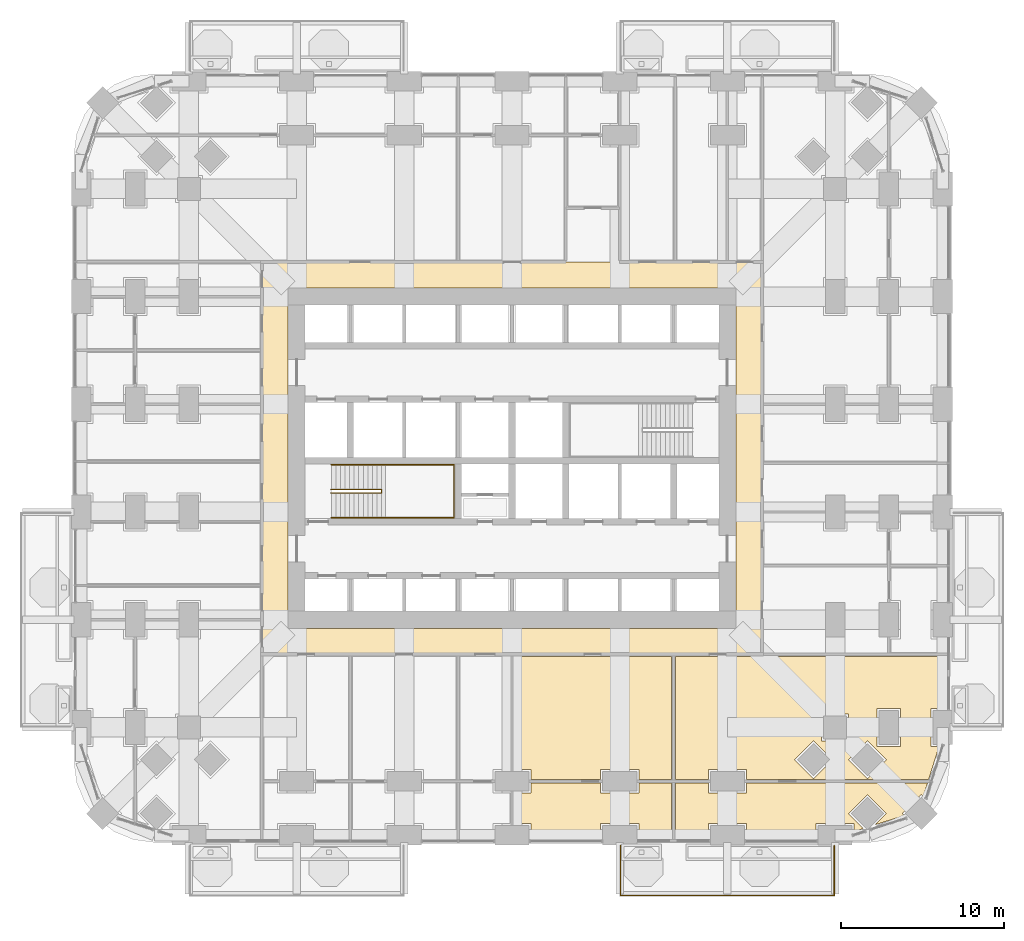
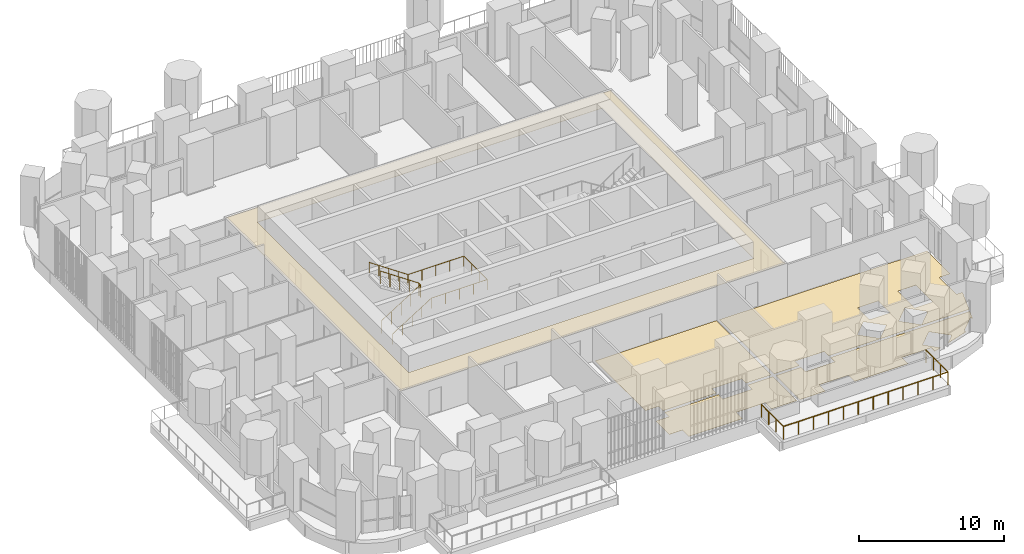
# One storey, part 24 of 27: 5 coverings, 3 railings.
"""IFC4 building model written with IfcOpenShell, lengths in metres."""

import ifcopenshell
import ifcopenshell.guid

model = None  # the IFC model being written
_history = None  # IfcOwnerHistory: only IFC2X3 demands one
_inside = {}  # id of a spatial element -> (the spatial element, [elements in it])
_under = {}  # id of a project, library or spatial element -> (it, [spatial elements below it])
_declared = {}  # id of a project -> (the project, [libraries it declares])
_typed = {}  # id of a type object -> (the type object, [elements of that type])
_made_of = {}  # id of a material, layer set ... -> (it, [elements and type objects made of it])


def new_model(schema):
    """Start an empty IFC model of exactly this schema.

    Asked for "IFC4X3", IfcOpenShell would pick the latest addendum, in which some entities
    have other attributes; the version numbers below select the first issue.
    IFC2X3 requires an IfcOwnerHistory on every rooted entity: one is made here for all.
    """
    global model, _history
    if schema == "IFC4X3":
        model = ifcopenshell.file(schema_version=(4, 3, 0, 0))
    else:
        model = ifcopenshell.file(schema=schema)
    _inside.clear()
    _under.clear()
    _declared.clear()
    _typed.clear()
    _made_of.clear()
    _history = None
    if model.schema == "IFC2X3":
        org = make("IfcOrganization", Name="unknown")
        user = make(
            "IfcPersonAndOrganization",
            ThePerson=make("IfcPerson", FamilyName="unknown"),
            TheOrganization=org,
        )
        app = make(
            "IfcApplication",
            ApplicationDeveloper=org,
            Version="unknown",
            ApplicationFullName="unknown",
            ApplicationIdentifier="unknown",
        )
        _history = make(
            "IfcOwnerHistory",
            OwningUser=user,
            OwningApplication=app,
            ChangeAction="ADDED",
            CreationDate=0,
        )
    return model


def make(cls, **values):
    """One entity of the class cls with the attributes given. An attribute that is None is left unset."""
    return model.create_entity(
        cls, **{name: value for name, value in values.items() if value is not None}
    )


def rooted(cls, **values):
    """An entity with a GlobalId (a new one), such as an element, a storey or a relation."""
    return make(cls, GlobalId=ifcopenshell.guid.new(), OwnerHistory=_history, **values)


def si_unit(unit_type, name, prefix=None):
    """IfcSIUnit, for example si_unit("LENGTHUNIT", "METRE", prefix="MILLI")."""
    return make("IfcSIUnit", UnitType=unit_type, Prefix=prefix, Name=name)


def assignment(units):
    """IfcUnitAssignment: the units of a project."""
    return None if units is None else make("IfcUnitAssignment", Units=units)


def point(xyz):
    """IfcCartesianPoint."""
    return None if xyz is None else make("IfcCartesianPoint", Coordinates=xyz)


def direction(xyz):
    """IfcDirection."""
    return None if xyz is None else make("IfcDirection", DirectionRatios=xyz)


def frame(location, z_axis=None, x_axis=None):
    """IfcAxis2Placement3D, a coordinate frame: its origin and axes. An axis left out is left unset."""
    return make(
        "IfcAxis2Placement3D",
        Location=point(location),
        Axis=direction(z_axis),
        RefDirection=direction(x_axis),
    )


def origin():
    """The frame at (0, 0, 0) with its axes left unset."""
    return frame((0.0, 0.0, 0.0))


def place(relative_to, where):
    """IfcLocalPlacement: puts the frame where relative to a parent placement (None: the world)."""
    return make(
        "IfcLocalPlacement", PlacementRelTo=relative_to, RelativePlacement=where
    )


def context(
    kind, dimensions, precision=None, world=None, true_north=None, identifier=None
):
    """IfcGeometricRepresentationContext, for example the 3D "Model" context."""
    return make(
        "IfcGeometricRepresentationContext",
        ContextIdentifier=identifier,
        ContextType=kind,
        CoordinateSpaceDimension=dimensions,
        Precision=precision,
        WorldCoordinateSystem=world,
        TrueNorth=true_north,
    )


def subcontext(parent, identifier, kind, view, scale=None):
    """IfcGeometricRepresentationSubContext, for example "Body" below "Model"."""
    return make(
        "IfcGeometricRepresentationSubContext",
        ContextIdentifier=identifier,
        ContextType=kind,
        ParentContext=parent,
        TargetScale=scale,
        TargetView=view,
    )


def project(units=None, contexts=None):
    """IfcProject with its units and contexts."""
    return rooted(
        "IfcProject",
        Name="project",
        RepresentationContexts=contexts,
        UnitsInContext=assignment(units),
    )


def spatial(cls, under=None, at=None, **own):
    """A site, building, storey or space (cls), placed at a placement, below another one or the project."""
    s = rooted(cls, ObjectPlacement=at, **own)
    if under is not None:
        _under.setdefault(under.id(), (under, []))[1].append(s)
    return s


def polyline(points):
    """IfcPolyline through the points."""
    return make("IfcPolyline", Points=[point(p) for p in points])


def outline(outer, holes=None, kind="AREA"):
    """IfcArbitraryClosedProfileDef: a profile drawn as a closed curve; with holes, ...WithVoids."""
    if holes is None:
        return make("IfcArbitraryClosedProfileDef", ProfileType=kind, OuterCurve=outer)
    return make(
        "IfcArbitraryProfileDefWithVoids",
        ProfileType=kind,
        OuterCurve=outer,
        InnerCurves=holes,
    )


def extrude(swept, where, along, depth):
    """IfcExtrudedAreaSolid: the profile swept, set in the frame where, extruded along a direction by depth."""
    return make(
        "IfcExtrudedAreaSolid",
        SweptArea=swept,
        Position=where,
        ExtrudedDirection=direction(along),
        Depth=depth,
    )


def shape(context_of_items, identifier, shape_type, items):
    """IfcShapeRepresentation: the items that make up one representation, for example the "Body"."""
    return make(
        "IfcShapeRepresentation",
        ContextOfItems=context_of_items,
        RepresentationIdentifier=identifier,
        RepresentationType=shape_type,
        Items=items,
    )


def material(Name=None, Category=None):
    """IfcMaterial."""
    return make("IfcMaterial", Name=Name, Category=Category)


def layer(
    of_material, thickness, ventilated=None, Name=None, Category=None, Priority=None
):
    """IfcMaterialLayer: one layer of a wall or slab, of a material (None: an air gap)."""
    return make(
        "IfcMaterialLayer",
        Material=of_material,
        LayerThickness=thickness,
        IsVentilated=ventilated,
        Name=Name,
        Category=Category,
        Priority=Priority,
    )


def layer_set(layers, Name=None):
    """IfcMaterialLayerSet."""
    return make("IfcMaterialLayerSet", MaterialLayers=layers, LayerSetName=Name)


def made_of(thing, what):
    """Note that an element or type object is made of a material, layer set ...; save() writes the relation."""
    if what is not None:
        _made_of.setdefault(what.id(), (what, []))[1].append(thing)
    return thing


def type_object(cls, material=None, **own):
    """A type object (cls), such as IfcWallType, which elements share."""
    return made_of(rooted(cls, **own), material)


def element(
    cls,
    number,
    at=None,
    inside=None,
    cuts=None,
    type_object=None,
    material=None,
    context=None,
    identifier="Body",
    shape_type=None,
    held_by="IfcProductDefinitionShape",
    body=None,
    shapes=None,
    **own,
):
    """One element of the class cls, such as IfcWall. Its Tag is "e" and its number.

    at: its placement. inside: the storey or other place that contains it. cuts: it is an
    opening in that element (IfcRelVoidsElement). A single representation is given by context,
    identifier, shape_type and body (its items); several are given by shapes. held_by: the class
    of the entity that holds the representations. save() writes the other relations.
    """
    e = rooted(cls, Tag="e%d" % number, ObjectPlacement=at, **own)
    if body is not None:
        shapes = [shape(context, identifier, shape_type, body)]
    if shapes is not None:
        e.Representation = make(held_by, Representations=shapes)
    if inside is not None:
        _inside.setdefault(inside.id(), (inside, []))[1].append(e)
    if cuts is not None:
        rooted(
            "IfcRelVoidsElement", RelatingBuildingElement=cuts, RelatedOpeningElement=e
        )
    if type_object is not None:
        _typed.setdefault(type_object.id(), (type_object, []))[1].append(e)
    return made_of(e, material)


def aggregate(whole, parts):
    """IfcRelAggregates: a whole, such as a stair, and the parts it consists of."""
    return rooted("IfcRelAggregates", RelatingObject=whole, RelatedObjects=parts)


def save(model, path):
    """Write the relations noted so far, then the file.

    IfcRelAggregates (storeys below a building ...), IfcRelContainedInSpatialStructure (elements
    in a storey), IfcRelDefinesByType, IfcRelAssociatesMaterial and IfcRelDeclares: one each for
    every whole, place, type object, material and project.
    """
    for whole, parts in _under.values():
        aggregate(whole, parts)
    for where, things in _inside.values():
        rooted(
            "IfcRelContainedInSpatialStructure",
            RelatedElements=things,
            RelatingStructure=where,
        )
    for kind, things in _typed.values():
        rooted("IfcRelDefinesByType", RelatedObjects=things, RelatingType=kind)
    for what, things in _made_of.values():
        rooted("IfcRelAssociatesMaterial", RelatedObjects=things, RelatingMaterial=what)
    for by, libraries in _declared.values():
        rooted("IfcRelDeclares", RelatingContext=by, RelatedDefinitions=libraries)
    model.write(path)


model = new_model("IFC4")

# Units and contexts
model_context = context("Model", 3, precision=1e-05, world=origin(), true_north=direction((0.0, 1.0)))
body_context = subcontext(model_context, "Body", "Model", "MODEL_VIEW")
ifc_project = project(units=[si_unit("LENGTHUNIT", "METRE"), si_unit("AREAUNIT", "SQUARE_METRE"), si_unit("VOLUMEUNIT", "CUBIC_METRE"), si_unit("PLANEANGLEUNIT", "RADIAN"), si_unit("MASSUNIT", "GRAM", prefix="KILO")], contexts=[model_context])

# Site, building, storey
site_placement = place(None, origin())
site = spatial("IfcSite", under=ifc_project, at=site_placement, CompositionType="ELEMENT")
building_placement = place(site_placement, origin())
building = spatial("IfcBuilding", under=site, at=building_placement, Name="Cobogo Forest Laboratory Tower", CompositionType="ELEMENT")
storey_placement = place(building_placement, frame((0.0, 0.0, 38.10009765625)))
storey = spatial("IfcBuildingStorey", under=building, at=storey_placement, Name="L08", CompositionType="ELEMENT", Elevation=38.10009765625)

# Railing
ifc_material_1 = material(Name="Laminated glass balustrade", Category="glass")
railing_type_1 = type_object("IfcRailingType", Name="BG1 glass balustrade 1100", PredefinedType="GUARDRAIL", material=ifc_material_1)
railing_1_placement = place(storey_placement, frame((33.050048828125, -0.64990234375, 0.0)))
element("IfcRailing", 1, at=railing_1_placement, inside=storey, type_object=railing_type_1, Name="Balcony balustrade BAL-S2 L08", PredefinedType="GUARDRAIL", context=body_context, shape_type="SweptSolid", body=[
    extrude(outline(polyline([(0.022216796875, 0.00927734375), (0.00927734375, 0.022216796875), (-0.00927734375, 0.022216796875), (-0.022216796875, 0.00927734375), (-0.022216796875, -0.00927734375), (-0.00927734375, -0.022216796875), (0.00927734375, -0.022216796875), (0.022216796875, -0.00927734375), (0.022216796875, 0.00927734375)])), frame((0.0, 0.0, 1.077880859375), z_axis=(0.0, -1.0, 0.0), x_axis=(1.0, 0.0, 0.0)), (0.0, 0.0, 1.0), 3.050048828125),
    extrude(outline(polyline([(0.022216796875, 0.00927734375), (0.00927734375, 0.022216796875), (-0.00927734375, 0.022216796875), (-0.022216796875, 0.00927734375), (-0.022216796875, -0.00927734375), (-0.00927734375, -0.022216796875), (0.00927734375, -0.022216796875), (0.022216796875, -0.00927734375), (0.022216796875, 0.00927734375)])), frame((0.0, -3.050048828125, 1.077880859375), z_axis=(1.0, 0.0, 0.0), x_axis=(0.0, 1.0, 0.0)), (0.0, 0.0, 1.0), 13.099853515625),
    extrude(outline(polyline([(0.022216796875, 0.00927734375), (0.00927734375, 0.022216796875), (-0.00927734375, 0.022216796875), (-0.022216796875, 0.00927734375), (-0.022216796875, -0.00927734375), (-0.00927734375, -0.022216796875), (0.00927734375, -0.022216796875), (0.022216796875, -0.00927734375), (0.022216796875, 0.00927734375)])), frame((13.099853515625, -3.050048828125, 1.077880859375), z_axis=(0.0, 1.0, 0.0), x_axis=(-1.0, 0.0, 0.0)), (0.0, 0.0, 1.0), 3.050048828125),
    extrude(outline(polyline([(0.019287109375, 0.008056640625), (0.008056640625, 0.019287109375), (-0.008056640625, 0.019287109375), (-0.019287109375, 0.008056640625), (-0.019287109375, -0.008056640625), (-0.008056640625, -0.019287109375), (0.008056640625, -0.019287109375), (0.019287109375, -0.008056640625), (0.019287109375, 0.008056640625)])), origin(), (0.0, 0.0, 1.0), 1.077880859375),
    extrude(outline(polyline([(0.019287109375, 0.008056640625), (0.008056640625, 0.019287109375), (-0.008056640625, 0.019287109375), (-0.019287109375, 0.008056640625), (-0.019287109375, -0.008056640625), (-0.008056640625, -0.019287109375), (0.008056640625, -0.019287109375), (0.019287109375, -0.008056640625), (0.019287109375, 0.008056640625)])), frame((0.0, -1.0166015625, 0.0)), (0.0, 0.0, 1.0), 1.077880859375),
    extrude(outline(polyline([(0.019287109375, 0.008056640625), (0.008056640625, 0.019287109375), (-0.008056640625, 0.019287109375), (-0.019287109375, 0.008056640625), (-0.019287109375, -0.008056640625), (-0.008056640625, -0.019287109375), (0.008056640625, -0.019287109375), (0.019287109375, -0.008056640625), (0.019287109375, 0.008056640625)])), frame((0.0, -2.033447265625, 0.0)), (0.0, 0.0, 1.0), 1.077880859375),
    extrude(outline(polyline([(0.019287109375, 0.008056640625), (0.008056640625, 0.019287109375), (-0.008056640625, 0.019287109375), (-0.019287109375, 0.008056640625), (-0.019287109375, -0.008056640625), (-0.008056640625, -0.019287109375), (0.008056640625, -0.019287109375), (0.019287109375, -0.008056640625), (0.019287109375, 0.008056640625)])), frame((0.0, -3.050048828125, 0.0)), (0.0, 0.0, 1.0), 1.077880859375),
    extrude(outline(polyline([(0.019287109375, 0.008056640625), (0.008056640625, 0.019287109375), (-0.008056640625, 0.019287109375), (-0.019287109375, 0.008056640625), (-0.019287109375, -0.008056640625), (-0.008056640625, -0.019287109375), (0.008056640625, -0.019287109375), (0.019287109375, -0.008056640625), (0.019287109375, 0.008056640625)])), frame((1.19091796875, -3.050048828125, 0.0)), (0.0, 0.0, 1.0), 1.077880859375),
    extrude(outline(polyline([(0.019287109375, 0.008056640625), (0.008056640625, 0.019287109375), (-0.008056640625, 0.019287109375), (-0.019287109375, 0.008056640625), (-0.019287109375, -0.008056640625), (-0.008056640625, -0.019287109375), (0.008056640625, -0.019287109375), (0.019287109375, -0.008056640625), (0.019287109375, 0.008056640625)])), frame((2.3818359375, -3.050048828125, 0.0)), (0.0, 0.0, 1.0), 1.077880859375),
    extrude(outline(polyline([(0.019287109375, 0.008056640625), (0.008056640625, 0.019287109375), (-0.008056640625, 0.019287109375), (-0.019287109375, 0.008056640625), (-0.019287109375, -0.008056640625), (-0.008056640625, -0.019287109375), (0.008056640625, -0.019287109375), (0.019287109375, -0.008056640625), (0.019287109375, 0.008056640625)])), frame((3.57275390625, -3.050048828125, 0.0)), (0.0, 0.0, 1.0), 1.077880859375),
    extrude(outline(polyline([(0.019287109375, 0.008056640625), (0.008056640625, 0.019287109375), (-0.008056640625, 0.019287109375), (-0.019287109375, 0.008056640625), (-0.019287109375, -0.008056640625), (-0.008056640625, -0.019287109375), (0.008056640625, -0.019287109375), (0.019287109375, -0.008056640625), (0.019287109375, 0.008056640625)])), frame((4.763671875, -3.050048828125, 0.0)), (0.0, 0.0, 1.0), 1.077880859375),
    extrude(outline(polyline([(0.019287109375, 0.008056640625), (0.008056640625, 0.019287109375), (-0.008056640625, 0.019287109375), (-0.019287109375, 0.008056640625), (-0.019287109375, -0.008056640625), (-0.008056640625, -0.019287109375), (0.008056640625, -0.019287109375), (0.019287109375, -0.008056640625), (0.019287109375, 0.008056640625)])), frame((5.95458984375, -3.050048828125, 0.0)), (0.0, 0.0, 1.0), 1.077880859375),
    extrude(outline(polyline([(0.019287109375, 0.008056640625), (0.008056640625, 0.019287109375), (-0.008056640625, 0.019287109375), (-0.019287109375, 0.008056640625), (-0.019287109375, -0.008056640625), (-0.008056640625, -0.019287109375), (0.008056640625, -0.019287109375), (0.019287109375, -0.008056640625), (0.019287109375, 0.008056640625)])), frame((7.145263671875, -3.050048828125, 0.0)), (0.0, 0.0, 1.0), 1.077880859375),
    extrude(outline(polyline([(0.019287109375, 0.008056640625), (0.008056640625, 0.019287109375), (-0.008056640625, 0.019287109375), (-0.019287109375, 0.008056640625), (-0.019287109375, -0.008056640625), (-0.008056640625, -0.019287109375), (0.008056640625, -0.019287109375), (0.019287109375, -0.008056640625), (0.019287109375, 0.008056640625)])), frame((8.336181640625, -3.050048828125, 0.0)), (0.0, 0.0, 1.0), 1.077880859375),
    extrude(outline(polyline([(0.019287109375, 0.008056640625), (0.008056640625, 0.019287109375), (-0.008056640625, 0.019287109375), (-0.019287109375, 0.008056640625), (-0.019287109375, -0.008056640625), (-0.008056640625, -0.019287109375), (0.008056640625, -0.019287109375), (0.019287109375, -0.008056640625), (0.019287109375, 0.008056640625)])), frame((9.527099609375, -3.050048828125, 0.0)), (0.0, 0.0, 1.0), 1.077880859375),
    extrude(outline(polyline([(0.019287109375, 0.008056640625), (0.008056640625, 0.019287109375), (-0.008056640625, 0.019287109375), (-0.019287109375, 0.008056640625), (-0.019287109375, -0.008056640625), (-0.008056640625, -0.019287109375), (0.008056640625, -0.019287109375), (0.019287109375, -0.008056640625), (0.019287109375, 0.008056640625)])), frame((10.718017578125, -3.050048828125, 0.0)), (0.0, 0.0, 1.0), 1.077880859375),
    extrude(outline(polyline([(0.019287109375, 0.008056640625), (0.008056640625, 0.019287109375), (-0.008056640625, 0.019287109375), (-0.019287109375, 0.008056640625), (-0.019287109375, -0.008056640625), (-0.008056640625, -0.019287109375), (0.008056640625, -0.019287109375), (0.019287109375, -0.008056640625), (0.019287109375, 0.008056640625)])), frame((11.908935546875, -3.050048828125, 0.0)), (0.0, 0.0, 1.0), 1.077880859375),
    extrude(outline(polyline([(0.019287109375, 0.008056640625), (0.008056640625, 0.019287109375), (-0.008056640625, 0.019287109375), (-0.019287109375, 0.008056640625), (-0.019287109375, -0.008056640625), (-0.008056640625, -0.019287109375), (0.008056640625, -0.019287109375), (0.019287109375, -0.008056640625), (0.019287109375, 0.008056640625)])), frame((13.099853515625, -3.050048828125, 0.0)), (0.0, 0.0, 1.0), 1.077880859375),
    extrude(outline(polyline([(0.019287109375, 0.008056640625), (0.008056640625, 0.019287109375), (-0.008056640625, 0.019287109375), (-0.019287109375, 0.008056640625), (-0.019287109375, -0.008056640625), (-0.008056640625, -0.019287109375), (0.008056640625, -0.019287109375), (0.019287109375, -0.008056640625), (0.019287109375, 0.008056640625)])), frame((13.099853515625, -2.033447265625, 0.0)), (0.0, 0.0, 1.0), 1.077880859375),
    extrude(outline(polyline([(0.019287109375, 0.008056640625), (0.008056640625, 0.019287109375), (-0.008056640625, 0.019287109375), (-0.019287109375, 0.008056640625), (-0.019287109375, -0.008056640625), (-0.008056640625, -0.019287109375), (0.008056640625, -0.019287109375), (0.019287109375, -0.008056640625), (0.019287109375, 0.008056640625)])), frame((13.099853515625, -1.0166015625, 0.0)), (0.0, 0.0, 1.0), 1.077880859375),
    extrude(outline(polyline([(0.019287109375, 0.008056640625), (0.008056640625, 0.019287109375), (-0.008056640625, 0.019287109375), (-0.019287109375, 0.008056640625), (-0.019287109375, -0.008056640625), (-0.008056640625, -0.019287109375), (0.008056640625, -0.019287109375), (0.019287109375, -0.008056640625), (0.019287109375, 0.008056640625)])), frame((13.099853515625, 0.0, 0.0)), (0.0, 0.0, 1.0), 1.077880859375),
])

# Coverings
ifc_material_2 = material(Name="Mineral fibre ceiling tile", Category="ceiling")
ifc_layer_1 = layer(ifc_material_2, 0.02001953125)
ifc_layer_set_1 = layer_set([ifc_layer_1], Name="CL1 suspended ceiling")
covering_type_1 = type_object("IfcCoveringType", Name="CL1 suspended ceiling", PredefinedType="CEILING", material=ifc_layer_set_1)
covering_1_placement = place(storey_placement, frame((0.0, 0.0, 2.7998046875)))
element("IfcCovering", 2, at=covering_1_placement, inside=storey, type_object=covering_type_1, Name="Corridor ceiling L08", PredefinedType="CEILING", context=body_context, shape_type="SweptSolid", body=[
    extrude(outline(polyline([(11.074951171875, 11.074951171875), (11.074951171875, 35.125), (41.72509765625, 35.125), (41.72509765625, 11.074951171875), (11.074951171875, 11.074951171875)]), holes=[polyline([(40.125, 33.52490234375), (12.675048828125, 33.52490234375), (12.675048828125, 12.675048828125), (40.125, 12.675048828125), (40.125, 33.52490234375)])]), origin(), (0.0, 0.0, 1.0), 0.02001953125),
])
ifc_material_3 = material(Name="Carpet tile on raised access floor", Category="flooring")
ifc_layer_2 = layer(ifc_material_3, 0.008056640625)
ifc_layer_set_2 = layer_set([ifc_layer_2], Name="CT1 carpet tile floor 8")
covering_type_2 = type_object("IfcCoveringType", Name="CT1 carpet tile floor 8", PredefinedType="FLOORING", material=ifc_layer_set_2)
covering_2_placement = place(storey_placement, origin())
element("IfcCovering", 3, at=covering_2_placement, inside=storey, type_object=covering_type_2, Name="Carpet floor L08-08", PredefinedType="FLOORING", context=body_context, shape_type="SweptSolid", body=[
    extrude(outline(polyline([(31.830078125, 3.179931640625), (31.830078125, 2.580078125), (34.169921875, 2.580078125), (34.169921875, 3.179931640625), (36.179931640625, 3.179931640625), (36.179931640625, -0.14990234375), (34.169921875, -0.14990234375), (34.169921875, 0.719970703125), (31.830078125, 0.719970703125), (31.830078125, -0.14990234375), (27.570068359375, -0.14990234375), (27.570068359375, 0.719970703125), (26.52001953125, 0.719970703125), (26.52001953125, 2.580078125), (27.570068359375, 2.580078125), (27.570068359375, 3.179931640625), (31.830078125, 3.179931640625)])), origin(), (0.0, 0.0, 1.0), 0.0078125),
])
covering_3_placement = place(storey_placement, origin())
element("IfcCovering", 4, at=covering_3_placement, inside=storey, type_object=covering_type_2, Name="Carpet floor L08-10", PredefinedType="FLOORING", context=body_context, shape_type="SweptSolid", body=[
    extrude(outline(polyline([(38.429931640625, 3.179931640625), (38.429931640625, 2.580078125), (40.77001953125, 2.580078125), (40.77001953125, 3.179931640625), (51.8603515625, 3.179931640625), (51.600830078125, 2.358642578125), (51.48193359375, 2.477783203125), (50.322265625, 1.318115234375), (50.441162109375, 1.19921875), (48.660400390625, 0.63671875), (49.341552734375, 1.318115234375), (48.181884765625, 2.477783203125), (47.022216796875, 1.318115234375), (47.933349609375, 0.406982421875), (47.3701171875, 0.229248046875), (47.3701171875, 0.719970703125), (45.030029296875, 0.719970703125), (45.030029296875, -0.14990234375), (40.77001953125, -0.14990234375), (40.77001953125, 0.719970703125), (38.429931640625, 0.719970703125), (38.429931640625, -0.14990234375), (36.419921875, -0.14990234375), (36.419921875, 3.179931640625), (38.429931640625, 3.179931640625)])), origin(), (0.0, 0.0, 1.0), 0.0078125),
])

# Railings
ifc_material_4 = material(Name="Steel balustrade", Category="steel")
railing_type_2 = type_object("IfcRailingType", Name="GR stair guard 1100", PredefinedType="GUARDRAIL", material=ifc_material_4)
railing_2_placement = place(storey_placement, frame((15.324951171875, 20.969970703125, 0.1748046875)))
element("IfcRailing", 5, at=railing_2_placement, inside=storey, type_object=railing_type_2, Name="Stair guard ST1 L08", PredefinedType="GUARDRAIL", context=body_context, shape_type="SweptSolid", body=[
    extrude(outline(polyline([(0.022216796875, 0.00927734375), (0.00927734375, 0.022216796875), (-0.00927734375, 0.022216796875), (-0.022216796875, 0.00927734375), (-0.022216796875, -0.00927734375), (-0.00927734375, -0.022216796875), (0.00927734375, -0.022216796875), (0.022216796875, -0.00927734375), (0.022216796875, 0.00927734375)])), frame((0.0, 0.0, 1.077880859375), z_axis=(0.847998304005, 0.0, 0.529998940003), x_axis=(0.0, 1.0, 0.0)), (0.0, 0.0, 1.0), 3.632080078125),
    extrude(outline(polyline([(0.022216796875, 0.00927734375), (0.00927734375, 0.022216796875), (-0.00927734375, 0.022216796875), (-0.022216796875, 0.00927734375), (-0.022216796875, -0.00927734375), (-0.00927734375, -0.022216796875), (0.00927734375, -0.022216796875), (0.022216796875, -0.00927734375), (0.022216796875, 0.00927734375)])), frame((3.080078125, 0.0, 3.0029296875), z_axis=(0.0, 1.0, 0.0), x_axis=(-1.0, 0.0, 0.0)), (0.0, 0.0, 1.0), 0.2099609375),
    extrude(outline(polyline([(0.022216796875, 0.00927734375), (0.00927734375, 0.022216796875), (-0.00927734375, 0.022216796875), (-0.022216796875, 0.00927734375), (-0.022216796875, -0.00927734375), (-0.00927734375, -0.022216796875), (0.00927734375, -0.022216796875), (0.022216796875, -0.00927734375), (0.022216796875, 0.00927734375)])), frame((3.080078125, 0.2099609375, 3.0029296875), z_axis=(-0.826221800596, 0.0, 0.563344953133), x_axis=(0.0, -1.0, 0.0)), (0.0, 0.0, 1.0), 3.72802734375),
    extrude(outline(polyline([(0.019287109375, 0.008056640625), (0.008056640625, 0.019287109375), (-0.008056640625, 0.019287109375), (-0.019287109375, 0.008056640625), (-0.019287109375, -0.008056640625), (-0.008056640625, -0.019287109375), (0.008056640625, -0.019287109375), (0.019287109375, -0.008056640625), (0.019287109375, 0.008056640625)])), origin(), (0.0, 0.0, 1.0), 1.077880859375),
    extrude(outline(polyline([(0.019287109375, 0.008056640625), (0.008056640625, 0.019287109375), (-0.008056640625, 0.019287109375), (-0.019287109375, 0.008056640625), (-0.019287109375, -0.008056640625), (-0.008056640625, -0.019287109375), (0.008056640625, -0.019287109375), (0.019287109375, -0.008056640625), (0.019287109375, 0.008056640625)])), frame((0.77001953125, 0.0, 0.481201171875)), (0.0, 0.0, 1.0), 1.077880859375),
    extrude(outline(polyline([(0.019287109375, 0.008056640625), (0.008056640625, 0.019287109375), (-0.008056640625, 0.019287109375), (-0.019287109375, 0.008056640625), (-0.019287109375, -0.008056640625), (-0.008056640625, -0.019287109375), (0.008056640625, -0.019287109375), (0.019287109375, -0.008056640625), (0.019287109375, 0.008056640625)])), frame((1.5400390625, 0.0, 0.96240234375)), (0.0, 0.0, 1.0), 1.077880859375),
    extrude(outline(polyline([(0.019287109375, 0.008056640625), (0.008056640625, 0.019287109375), (-0.008056640625, 0.019287109375), (-0.019287109375, 0.008056640625), (-0.019287109375, -0.008056640625), (-0.008056640625, -0.019287109375), (0.008056640625, -0.019287109375), (0.019287109375, -0.008056640625), (0.019287109375, 0.008056640625)])), frame((2.31005859375, 0.0, 1.44384765625)), (0.0, 0.0, 1.0), 1.077880859375),
    extrude(outline(polyline([(0.019287109375, 0.008056640625), (0.008056640625, 0.019287109375), (-0.008056640625, 0.019287109375), (-0.019287109375, 0.008056640625), (-0.019287109375, -0.008056640625), (-0.008056640625, -0.019287109375), (0.008056640625, -0.019287109375), (0.019287109375, -0.008056640625), (0.019287109375, 0.008056640625)])), frame((3.080078125, 0.0, 1.925048828125)), (0.0, 0.0, 1.0), 1.077880859375),
    extrude(outline(polyline([(0.019287109375, 0.008056640625), (0.008056640625, 0.019287109375), (-0.008056640625, 0.019287109375), (-0.019287109375, 0.008056640625), (-0.019287109375, -0.008056640625), (-0.008056640625, -0.019287109375), (0.008056640625, -0.019287109375), (0.019287109375, -0.008056640625), (0.019287109375, 0.008056640625)])), frame((3.080078125, 0.2099609375, 1.925048828125)), (0.0, 0.0, 1.0), 1.077880859375),
    extrude(outline(polyline([(0.019287109375, 0.008056640625), (0.008056640625, 0.019287109375), (-0.008056640625, 0.019287109375), (-0.019287109375, 0.008056640625), (-0.019287109375, -0.008056640625), (-0.008056640625, -0.019287109375), (0.008056640625, -0.019287109375), (0.019287109375, -0.008056640625), (0.019287109375, 0.008056640625)])), frame((2.31005859375, 0.2099609375, 2.4501953125)), (0.0, 0.0, 1.0), 1.077880859375),
    extrude(outline(polyline([(0.019287109375, 0.008056640625), (0.008056640625, 0.019287109375), (-0.008056640625, 0.019287109375), (-0.019287109375, 0.008056640625), (-0.019287109375, -0.008056640625), (-0.008056640625, -0.019287109375), (0.008056640625, -0.019287109375), (0.019287109375, -0.008056640625), (0.019287109375, 0.008056640625)])), frame((1.5400390625, 0.2099609375, 2.97509765625)), (0.0, 0.0, 1.0), 1.077880859375),
    extrude(outline(polyline([(0.019287109375, 0.008056640625), (0.008056640625, 0.019287109375), (-0.008056640625, 0.019287109375), (-0.019287109375, 0.008056640625), (-0.019287109375, -0.008056640625), (-0.008056640625, -0.019287109375), (0.008056640625, -0.019287109375), (0.019287109375, -0.008056640625), (0.019287109375, 0.008056640625)])), frame((0.77001953125, 0.2099609375, 3.5)), (0.0, 0.0, 1.0), 1.077880859375),
    extrude(outline(polyline([(0.019287109375, 0.008056640625), (0.008056640625, 0.019287109375), (-0.008056640625, 0.019287109375), (-0.019287109375, 0.008056640625), (-0.019287109375, -0.008056640625), (-0.008056640625, -0.019287109375), (0.008056640625, -0.019287109375), (0.019287109375, -0.008056640625), (0.019287109375, 0.008056640625)])), frame((0.0, 0.2099609375, 4.025146484375)), (0.0, 0.0, 1.0), 1.077880859375),
])
ifc_material_5 = material(Name="Stainless steel handrail", Category="steel")
railing_type_3 = type_object("IfcRailingType", Name="HR handrail 900", PredefinedType="HANDRAIL", material=ifc_material_5)
railing_3_placement = place(storey_placement, frame((15.324951171875, 19.449951171875, 0.1748046875)))
element("IfcRailing", 6, at=railing_3_placement, inside=storey, type_object=railing_type_3, Name="Stair handrail ST1 L08", PredefinedType="HANDRAIL", context=body_context, shape_type="SweptSolid", body=[
    extrude(outline(polyline([(0.022216796875, 0.00927734375), (0.00927734375, 0.022216796875), (-0.00927734375, 0.022216796875), (-0.022216796875, 0.00927734375), (-0.022216796875, -0.00927734375), (-0.00927734375, -0.022216796875), (0.00927734375, -0.022216796875), (0.022216796875, -0.00927734375), (0.022216796875, 0.00927734375)])), frame((0.0, 0.0, 0.877685546875), z_axis=(0.847998304005, 0.0, 0.529998940003), x_axis=(0.0, 1.0, 0.0)), (0.0, 0.0, 1.0), 3.632080078125),
    extrude(outline(polyline([(0.022216796875, 0.00927734375), (0.00927734375, 0.022216796875), (-0.00927734375, 0.022216796875), (-0.022216796875, 0.00927734375), (-0.022216796875, -0.00927734375), (-0.00927734375, -0.022216796875), (0.00927734375, -0.022216796875), (0.022216796875, -0.00927734375), (0.022216796875, 0.00927734375)])), frame((3.080078125, 0.0, 2.802734375), z_axis=(1.0, 0.0, 0.0), x_axis=(0.0, 1.0, 0.0)), (0.0, 0.0, 1.0), 4.445068359375),
    extrude(outline(polyline([(0.022216796875, 0.00927734375), (0.00927734375, 0.022216796875), (-0.00927734375, 0.022216796875), (-0.022216796875, 0.00927734375), (-0.022216796875, -0.00927734375), (-0.00927734375, -0.022216796875), (0.00927734375, -0.022216796875), (0.022216796875, -0.00927734375), (0.022216796875, 0.00927734375)])), frame((7.525146484375, 0.0, 2.802734375), z_axis=(0.0, 1.0, 0.0), x_axis=(-1.0, 0.0, 0.0)), (0.0, 0.0, 1.0), 3.25),
    extrude(outline(polyline([(0.022216796875, 0.00927734375), (0.00927734375, 0.022216796875), (-0.00927734375, 0.022216796875), (-0.022216796875, 0.00927734375), (-0.022216796875, -0.00927734375), (-0.00927734375, -0.022216796875), (0.00927734375, -0.022216796875), (0.022216796875, -0.00927734375), (0.022216796875, 0.00927734375)])), frame((7.525146484375, 3.25, 2.802734375), z_axis=(-1.0, 0.0, 0.0), x_axis=(0.0, -1.0, 0.0)), (0.0, 0.0, 1.0), 4.445068359375),
    extrude(outline(polyline([(0.022216796875, 0.00927734375), (0.00927734375, 0.022216796875), (-0.00927734375, 0.022216796875), (-0.022216796875, 0.00927734375), (-0.022216796875, -0.00927734375), (-0.00927734375, -0.022216796875), (0.00927734375, -0.022216796875), (0.022216796875, -0.00927734375), (0.022216796875, 0.00927734375)])), frame((3.080078125, 3.25, 2.802734375), z_axis=(-0.826221800596, 0.0, 0.563344953133), x_axis=(0.0, -1.0, 0.0)), (0.0, 0.0, 1.0), 3.72802734375),
    extrude(outline(polyline([(0.019287109375, 0.008056640625), (0.008056640625, 0.019287109375), (-0.008056640625, 0.019287109375), (-0.019287109375, 0.008056640625), (-0.019287109375, -0.008056640625), (-0.008056640625, -0.019287109375), (0.008056640625, -0.019287109375), (0.019287109375, -0.008056640625), (0.019287109375, 0.008056640625)])), origin(), (0.0, 0.0, 1.0), 0.877685546875),
    extrude(outline(polyline([(0.019287109375, 0.008056640625), (0.008056640625, 0.019287109375), (-0.008056640625, 0.019287109375), (-0.019287109375, 0.008056640625), (-0.019287109375, -0.008056640625), (-0.008056640625, -0.019287109375), (0.008056640625, -0.019287109375), (0.019287109375, -0.008056640625), (0.019287109375, 0.008056640625)])), frame((0.77001953125, 0.0, 0.481201171875)), (0.0, 0.0, 1.0), 0.877685546875),
    extrude(outline(polyline([(0.019287109375, 0.008056640625), (0.008056640625, 0.019287109375), (-0.008056640625, 0.019287109375), (-0.019287109375, 0.008056640625), (-0.019287109375, -0.008056640625), (-0.008056640625, -0.019287109375), (0.008056640625, -0.019287109375), (0.019287109375, -0.008056640625), (0.019287109375, 0.008056640625)])), frame((1.5400390625, 0.0, 0.96240234375)), (0.0, 0.0, 1.0), 0.877685546875),
    extrude(outline(polyline([(0.019287109375, 0.008056640625), (0.008056640625, 0.019287109375), (-0.008056640625, 0.019287109375), (-0.019287109375, 0.008056640625), (-0.019287109375, -0.008056640625), (-0.008056640625, -0.019287109375), (0.008056640625, -0.019287109375), (0.019287109375, -0.008056640625), (0.019287109375, 0.008056640625)])), frame((2.31005859375, 0.0, 1.44384765625)), (0.0, 0.0, 1.0), 0.877685546875),
    extrude(outline(polyline([(0.019287109375, 0.008056640625), (0.008056640625, 0.019287109375), (-0.008056640625, 0.019287109375), (-0.019287109375, 0.008056640625), (-0.019287109375, -0.008056640625), (-0.008056640625, -0.019287109375), (0.008056640625, -0.019287109375), (0.019287109375, -0.008056640625), (0.019287109375, 0.008056640625)])), frame((3.080078125, 0.0, 1.925048828125)), (0.0, 0.0, 1.0), 0.877685546875),
    extrude(outline(polyline([(0.019287109375, 0.008056640625), (0.008056640625, 0.019287109375), (-0.008056640625, 0.019287109375), (-0.019287109375, 0.008056640625), (-0.019287109375, -0.008056640625), (-0.008056640625, -0.019287109375), (0.008056640625, -0.019287109375), (0.019287109375, -0.008056640625), (0.019287109375, 0.008056640625)])), frame((4.19140625, 0.0, 1.925048828125)), (0.0, 0.0, 1.0), 0.877685546875),
    extrude(outline(polyline([(0.019287109375, 0.008056640625), (0.008056640625, 0.019287109375), (-0.008056640625, 0.019287109375), (-0.019287109375, 0.008056640625), (-0.019287109375, -0.008056640625), (-0.008056640625, -0.019287109375), (0.008056640625, -0.019287109375), (0.019287109375, -0.008056640625), (0.019287109375, 0.008056640625)])), frame((5.302734375, 0.0, 1.925048828125)), (0.0, 0.0, 1.0), 0.877685546875),
    extrude(outline(polyline([(0.019287109375, 0.008056640625), (0.008056640625, 0.019287109375), (-0.008056640625, 0.019287109375), (-0.019287109375, 0.008056640625), (-0.019287109375, -0.008056640625), (-0.008056640625, -0.019287109375), (0.008056640625, -0.019287109375), (0.019287109375, -0.008056640625), (0.019287109375, 0.008056640625)])), frame((6.413818359375, 0.0, 1.925048828125)), (0.0, 0.0, 1.0), 0.877685546875),
    extrude(outline(polyline([(0.019287109375, 0.008056640625), (0.008056640625, 0.019287109375), (-0.008056640625, 0.019287109375), (-0.019287109375, 0.008056640625), (-0.019287109375, -0.008056640625), (-0.008056640625, -0.019287109375), (0.008056640625, -0.019287109375), (0.019287109375, -0.008056640625), (0.019287109375, 0.008056640625)])), frame((7.525146484375, 0.0, 1.925048828125)), (0.0, 0.0, 1.0), 0.877685546875),
    extrude(outline(polyline([(0.019287109375, 0.008056640625), (0.008056640625, 0.019287109375), (-0.008056640625, 0.019287109375), (-0.019287109375, 0.008056640625), (-0.019287109375, -0.008056640625), (-0.008056640625, -0.019287109375), (0.008056640625, -0.019287109375), (0.019287109375, -0.008056640625), (0.019287109375, 0.008056640625)])), frame((7.525146484375, 1.083251953125, 1.925048828125)), (0.0, 0.0, 1.0), 0.877685546875),
    extrude(outline(polyline([(0.019287109375, 0.008056640625), (0.008056640625, 0.019287109375), (-0.008056640625, 0.019287109375), (-0.019287109375, 0.008056640625), (-0.019287109375, -0.008056640625), (-0.008056640625, -0.019287109375), (0.008056640625, -0.019287109375), (0.019287109375, -0.008056640625), (0.019287109375, 0.008056640625)])), frame((7.525146484375, 2.166748046875, 1.925048828125)), (0.0, 0.0, 1.0), 0.877685546875),
    extrude(outline(polyline([(0.019287109375, 0.008056640625), (0.008056640625, 0.019287109375), (-0.008056640625, 0.019287109375), (-0.019287109375, 0.008056640625), (-0.019287109375, -0.008056640625), (-0.008056640625, -0.019287109375), (0.008056640625, -0.019287109375), (0.019287109375, -0.008056640625), (0.019287109375, 0.008056640625)])), frame((7.525146484375, 3.25, 1.925048828125)), (0.0, 0.0, 1.0), 0.877685546875),
    extrude(outline(polyline([(0.019287109375, 0.008056640625), (0.008056640625, 0.019287109375), (-0.008056640625, 0.019287109375), (-0.019287109375, 0.008056640625), (-0.019287109375, -0.008056640625), (-0.008056640625, -0.019287109375), (0.008056640625, -0.019287109375), (0.019287109375, -0.008056640625), (0.019287109375, 0.008056640625)])), frame((6.413818359375, 3.25, 1.925048828125)), (0.0, 0.0, 1.0), 0.877685546875),
    extrude(outline(polyline([(0.019287109375, 0.008056640625), (0.008056640625, 0.019287109375), (-0.008056640625, 0.019287109375), (-0.019287109375, 0.008056640625), (-0.019287109375, -0.008056640625), (-0.008056640625, -0.019287109375), (0.008056640625, -0.019287109375), (0.019287109375, -0.008056640625), (0.019287109375, 0.008056640625)])), frame((5.302734375, 3.25, 1.925048828125)), (0.0, 0.0, 1.0), 0.877685546875),
    extrude(outline(polyline([(0.019287109375, 0.008056640625), (0.008056640625, 0.019287109375), (-0.008056640625, 0.019287109375), (-0.019287109375, 0.008056640625), (-0.019287109375, -0.008056640625), (-0.008056640625, -0.019287109375), (0.008056640625, -0.019287109375), (0.019287109375, -0.008056640625), (0.019287109375, 0.008056640625)])), frame((4.19140625, 3.25, 1.925048828125)), (0.0, 0.0, 1.0), 0.877685546875),
    extrude(outline(polyline([(0.019287109375, 0.008056640625), (0.008056640625, 0.019287109375), (-0.008056640625, 0.019287109375), (-0.019287109375, 0.008056640625), (-0.019287109375, -0.008056640625), (-0.008056640625, -0.019287109375), (0.008056640625, -0.019287109375), (0.019287109375, -0.008056640625), (0.019287109375, 0.008056640625)])), frame((3.080078125, 3.25, 1.925048828125)), (0.0, 0.0, 1.0), 0.877685546875),
    extrude(outline(polyline([(0.019287109375, 0.008056640625), (0.008056640625, 0.019287109375), (-0.008056640625, 0.019287109375), (-0.019287109375, 0.008056640625), (-0.019287109375, -0.008056640625), (-0.008056640625, -0.019287109375), (0.008056640625, -0.019287109375), (0.019287109375, -0.008056640625), (0.019287109375, 0.008056640625)])), frame((2.31005859375, 3.25, 2.4501953125)), (0.0, 0.0, 1.0), 0.877685546875),
    extrude(outline(polyline([(0.019287109375, 0.008056640625), (0.008056640625, 0.019287109375), (-0.008056640625, 0.019287109375), (-0.019287109375, 0.008056640625), (-0.019287109375, -0.008056640625), (-0.008056640625, -0.019287109375), (0.008056640625, -0.019287109375), (0.019287109375, -0.008056640625), (0.019287109375, 0.008056640625)])), frame((1.5400390625, 3.25, 2.97509765625)), (0.0, 0.0, 1.0), 0.877685546875),
    extrude(outline(polyline([(0.019287109375, 0.008056640625), (0.008056640625, 0.019287109375), (-0.008056640625, 0.019287109375), (-0.019287109375, 0.008056640625), (-0.019287109375, -0.008056640625), (-0.008056640625, -0.019287109375), (0.008056640625, -0.019287109375), (0.019287109375, -0.008056640625), (0.019287109375, 0.008056640625)])), frame((0.77001953125, 3.25, 3.5)), (0.0, 0.0, 1.0), 0.877685546875),
    extrude(outline(polyline([(0.019287109375, 0.008056640625), (0.008056640625, 0.019287109375), (-0.008056640625, 0.019287109375), (-0.019287109375, 0.008056640625), (-0.019287109375, -0.008056640625), (-0.008056640625, -0.019287109375), (0.008056640625, -0.019287109375), (0.019287109375, -0.008056640625), (0.019287109375, 0.008056640625)])), frame((0.0, 3.25, 4.025146484375)), (0.0, 0.0, 1.0), 0.877685546875),
])

# Coverings
ifc_material_6 = material(Name="Epoxy resin flooring", Category="flooring")
ifc_layer_3 = layer(ifc_material_6, 0.00390625)
ifc_layer_set_3 = layer_set([ifc_layer_3], Name="LF1 epoxy laboratory floor 4")
covering_type_3 = type_object("IfcCoveringType", Name="LF1 epoxy laboratory floor 4", PredefinedType="FLOORING", material=ifc_layer_set_3)
covering_4_placement = place(storey_placement, origin())
element("IfcCovering", 7, at=covering_4_placement, inside=storey, type_object=covering_type_3, Name="Epoxy laboratory floor L08-07", PredefinedType="FLOORING", context=body_context, shape_type="SweptSolid", body=[
    extrude(outline(polyline([(26.52001953125, 10.955078125), (36.179931640625, 10.955078125), (36.179931640625, 3.419921875), (34.169921875, 3.419921875), (34.169921875, 4.02001953125), (31.830078125, 4.02001953125), (31.830078125, 3.419921875), (27.570068359375, 3.419921875), (27.570068359375, 4.02001953125), (26.52001953125, 4.02001953125), (26.52001953125, 10.955078125)])), origin(), (0.0, 0.0, 1.0), 0.00390625),
])
covering_5_placement = place(storey_placement, origin())
element("IfcCovering", 8, at=covering_5_placement, inside=storey, type_object=covering_type_3, Name="Epoxy laboratory floor L08-09", PredefinedType="FLOORING", context=body_context, shape_type="SweptSolid", body=[
    extrude(outline(polyline([(36.419921875, 10.955078125), (52.949951171875, 10.955078125), (52.949951171875, 7.77001953125), (52.080078125, 7.77001953125), (52.080078125, 5.429931640625), (52.57080078125, 5.429931640625), (51.93603515625, 3.419921875), (40.77001953125, 3.419921875), (40.77001953125, 4.02001953125), (38.429931640625, 4.02001953125), (38.429931640625, 3.419921875), (36.419921875, 3.419921875), (36.419921875, 10.955078125)]), holes=[polyline([(48.780029296875, 5.429931640625), (50.219970703125, 5.429931640625), (50.219970703125, 7.77001953125), (48.780029296875, 7.77001953125), (48.780029296875, 5.429931640625)]), polyline([(48.181884765625, 5.777587890625), (47.022216796875, 4.617919921875), (48.181884765625, 3.458251953125), (49.341552734375, 4.617919921875), (48.181884765625, 5.777587890625)]), polyline([(45.3798828125, 7.419921875), (45.3798828125, 5.780029296875), (47.02001953125, 5.780029296875), (47.02001953125, 7.419921875), (45.3798828125, 7.419921875)]), polyline([(44.882080078125, 5.777587890625), (43.722412109375, 4.617919921875), (44.882080078125, 3.458251953125), (46.041748046875, 4.617919921875), (44.882080078125, 5.777587890625)])]), origin(), (0.0, 0.0, 1.0), 0.00390625),
])

save(model, "model.ifc")
